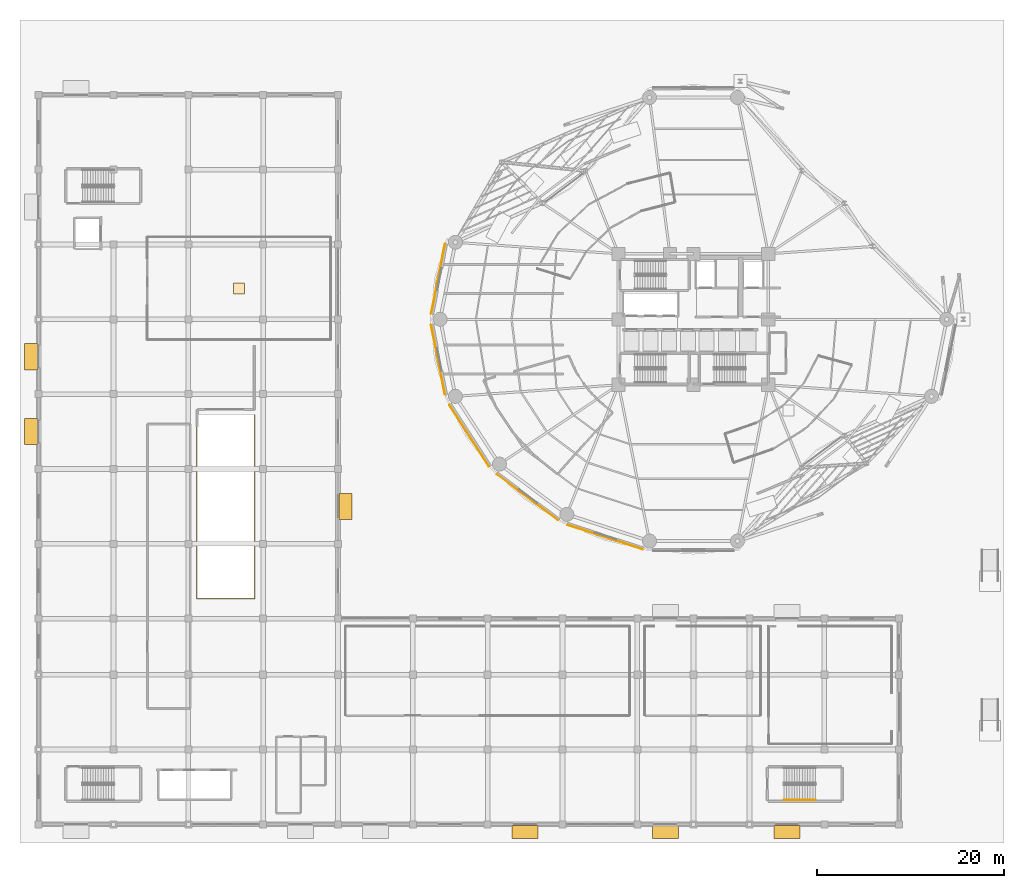
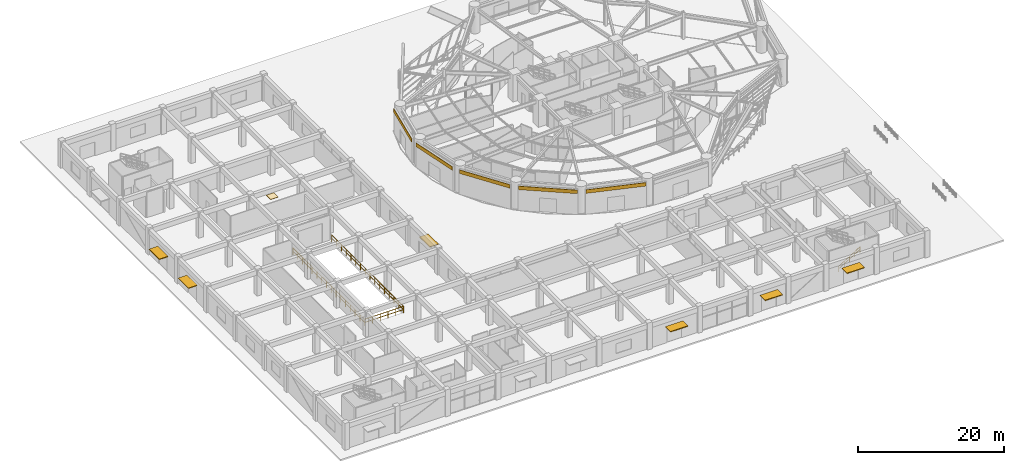
# One storey, part 34 of 40: 6 coverings, 6 shading devices, 2 railings.
"""IFC4 building model written with IfcOpenShell, lengths in metres."""

from ifc_helpers import new_model, si_unit, direction, frame, origin, origin_2d, place, context, subcontext, project, spatial, polyline, rectangle, outline, extrude, source, transform, mapped, material, layer, layer_set, type_object, element, save


model = new_model("IFC4")

# Units and contexts
model_context = context("Model", 3, precision=1e-05, world=origin(), true_north=direction((0.0, 1.0)))
body_context = subcontext(model_context, "Body", "Model", "MODEL_VIEW")
ifc_project = project(units=[si_unit("LENGTHUNIT", "METRE"), si_unit("AREAUNIT", "SQUARE_METRE"), si_unit("VOLUMEUNIT", "CUBIC_METRE"), si_unit("PLANEANGLEUNIT", "RADIAN"), si_unit("MASSUNIT", "GRAM", prefix="KILO")], contexts=[model_context])

# Site, building, storey
site_placement = place(None, origin())
site = spatial("IfcSite", under=ifc_project, at=site_placement, CompositionType="ELEMENT")
building_placement = place(site_placement, origin())
building = spatial("IfcBuilding", under=site, at=building_placement, Name="Kelanora Arch Commons", CompositionType="ELEMENT")
storey_placement = place(building_placement, origin())
storey = spatial("IfcBuildingStorey", under=building, at=storey_placement, Name="L00", CompositionType="ELEMENT", Elevation=0.0)

# Railings
ifc_material_1 = material(Name="Laminated glass and stainless steel balustrade", Category="steel")
railing_type_1 = type_object("IfcRailingType", Name="RAIL-BAL-112", PredefinedType="BALUSTRADE", material=ifc_material_1)
railing_1_placement = place(storey_placement, frame((20.919921875, 47.800048828125, 0.0)))
element("IfcRailing", 1, at=railing_1_placement, inside=storey, type_object=railing_type_1, Name="Market Hall L00 Vehicle Ramp Void Guard", PredefinedType="BALUSTRADE", context=body_context, shape_type="SweptSolid", body=[
    extrude(outline(polyline([(0.02392578125, 0.0), (0.011962890625, 0.020751953125), (-0.011962890625, 0.020751953125), (-0.02392578125, 0.0), (-0.011962890625, -0.020751953125), (0.011962890625, -0.020751953125), (0.02392578125, 0.0)])), frame((0.0, 0.0, 1.09619140625), z_axis=(0.0, -1.0, 0.0), x_axis=(1.0, 0.0, 0.0)), (0.0, 0.0, 1.0), 19.679931640625),
    extrude(outline(polyline([(0.02392578125, 0.0), (0.011962890625, 0.020751953125), (-0.011962890625, 0.020751953125), (-0.02392578125, 0.0), (-0.011962890625, -0.020751953125), (0.011962890625, -0.020751953125), (0.02392578125, 0.0)])), frame((0.0, 0.0, 0.56005859375), z_axis=(0.0, -1.0, 0.0), x_axis=(1.0, 0.0, 0.0)), (0.0, 0.0, 1.0), 19.679931640625),
    extrude(outline(polyline([(0.02392578125, 0.0), (0.011962890625, 0.020751953125), (-0.011962890625, 0.020751953125), (-0.02392578125, 0.0), (-0.011962890625, -0.020751953125), (0.011962890625, -0.020751953125), (0.02392578125, 0.0)])), frame((0.0, -19.679931640625, 1.09619140625), z_axis=(1.0, 0.0, 0.0), x_axis=(0.0, 1.0, 0.0)), (0.0, 0.0, 1.0), 6.16015625),
    extrude(outline(polyline([(0.02392578125, 0.0), (0.011962890625, 0.020751953125), (-0.011962890625, 0.020751953125), (-0.02392578125, 0.0), (-0.011962890625, -0.020751953125), (0.011962890625, -0.020751953125), (0.02392578125, 0.0)])), frame((0.0, -19.679931640625, 0.56005859375), z_axis=(1.0, 0.0, 0.0), x_axis=(0.0, 1.0, 0.0)), (0.0, 0.0, 1.0), 6.16015625),
    extrude(outline(polyline([(0.02392578125, 0.0), (0.011962890625, 0.020751953125), (-0.011962890625, 0.020751953125), (-0.02392578125, 0.0), (-0.011962890625, -0.020751953125), (0.011962890625, -0.020751953125), (0.02392578125, 0.0)])), frame((6.16015625, -19.679931640625, 1.09619140625), z_axis=(0.0, 1.0, 0.0), x_axis=(-1.0, 0.0, 0.0)), (0.0, 0.0, 1.0), 19.679931640625),
    extrude(outline(polyline([(0.02392578125, 0.0), (0.011962890625, 0.020751953125), (-0.011962890625, 0.020751953125), (-0.02392578125, 0.0), (-0.011962890625, -0.020751953125), (0.011962890625, -0.020751953125), (0.02392578125, 0.0)])), frame((6.16015625, -19.679931640625, 0.56005859375), z_axis=(0.0, 1.0, 0.0), x_axis=(-1.0, 0.0, 0.0)), (0.0, 0.0, 1.0), 19.679931640625),
    extrude(outline(polyline([(0.02099609375, 0.0), (0.010498046875, 0.01806640625), (-0.010498046875, 0.01806640625), (-0.02099609375, 0.0), (-0.010498046875, -0.01806640625), (0.010498046875, -0.01806640625), (0.02099609375, 0.0)])), origin(), (0.0, 0.0, 1.0), 1.072021484375),
    extrude(outline(polyline([(0.02099609375, 0.0), (0.010498046875, 0.01806640625), (-0.010498046875, 0.01806640625), (-0.02099609375, 0.0), (-0.010498046875, -0.01806640625), (0.010498046875, -0.01806640625), (0.02099609375, 0.0)])), frame((0.0, -1.31201171875, 0.0)), (0.0, 0.0, 1.0), 1.072021484375),
    extrude(outline(polyline([(0.02099609375, 0.0), (0.010498046875, 0.01806640625), (-0.010498046875, 0.01806640625), (-0.02099609375, 0.0), (-0.010498046875, -0.01806640625), (0.010498046875, -0.01806640625), (0.02099609375, 0.0)])), frame((0.0, -2.6240234375, 0.0)), (0.0, 0.0, 1.0), 1.072021484375),
    extrude(outline(polyline([(0.02099609375, 0.0), (0.010498046875, 0.01806640625), (-0.010498046875, 0.01806640625), (-0.02099609375, 0.0), (-0.010498046875, -0.01806640625), (0.010498046875, -0.01806640625), (0.02099609375, 0.0)])), frame((0.0, -3.93603515625, 0.0)), (0.0, 0.0, 1.0), 1.072021484375),
    extrude(outline(polyline([(0.02099609375, 0.0), (0.010498046875, 0.01806640625), (-0.010498046875, 0.01806640625), (-0.02099609375, 0.0), (-0.010498046875, -0.01806640625), (0.010498046875, -0.01806640625), (0.02099609375, 0.0)])), frame((0.0, -5.248046875, 0.0)), (0.0, 0.0, 1.0), 1.072021484375),
    extrude(outline(polyline([(0.02099609375, 0.0), (0.010498046875, 0.01806640625), (-0.010498046875, 0.01806640625), (-0.02099609375, 0.0), (-0.010498046875, -0.01806640625), (0.010498046875, -0.01806640625), (0.02099609375, 0.0)])), frame((0.0, -6.56005859375, 0.0)), (0.0, 0.0, 1.0), 1.072021484375),
    extrude(outline(polyline([(0.02099609375, 0.0), (0.010498046875, 0.01806640625), (-0.010498046875, 0.01806640625), (-0.02099609375, 0.0), (-0.010498046875, -0.01806640625), (0.010498046875, -0.01806640625), (0.02099609375, 0.0)])), frame((0.0, -7.8720703125, 0.0)), (0.0, 0.0, 1.0), 1.072021484375),
    extrude(outline(polyline([(0.02099609375, 0.0), (0.010498046875, 0.01806640625), (-0.010498046875, 0.01806640625), (-0.02099609375, 0.0), (-0.010498046875, -0.01806640625), (0.010498046875, -0.01806640625), (0.02099609375, 0.0)])), frame((0.0, -9.18408203125, 0.0)), (0.0, 0.0, 1.0), 1.072021484375),
    extrude(outline(polyline([(0.02099609375, 0.0), (0.010498046875, 0.01806640625), (-0.010498046875, 0.01806640625), (-0.02099609375, 0.0), (-0.010498046875, -0.01806640625), (0.010498046875, -0.01806640625), (0.02099609375, 0.0)])), frame((0.0, -10.495849609375, 0.0)), (0.0, 0.0, 1.0), 1.072021484375),
    extrude(outline(polyline([(0.02099609375, 0.0), (0.010498046875, 0.01806640625), (-0.010498046875, 0.01806640625), (-0.02099609375, 0.0), (-0.010498046875, -0.01806640625), (0.010498046875, -0.01806640625), (0.02099609375, 0.0)])), frame((0.0, -11.807861328125, 0.0)), (0.0, 0.0, 1.0), 1.072021484375),
    extrude(outline(polyline([(0.02099609375, 0.0), (0.010498046875, 0.01806640625), (-0.010498046875, 0.01806640625), (-0.02099609375, 0.0), (-0.010498046875, -0.01806640625), (0.010498046875, -0.01806640625), (0.02099609375, 0.0)])), frame((0.0, -13.119873046875, 0.0)), (0.0, 0.0, 1.0), 1.072021484375),
    extrude(outline(polyline([(0.02099609375, 0.0), (0.010498046875, 0.01806640625), (-0.010498046875, 0.01806640625), (-0.02099609375, 0.0), (-0.010498046875, -0.01806640625), (0.010498046875, -0.01806640625), (0.02099609375, 0.0)])), frame((0.0, -14.431884765625, 0.0)), (0.0, 0.0, 1.0), 1.072021484375),
    extrude(outline(polyline([(0.02099609375, 0.0), (0.010498046875, 0.01806640625), (-0.010498046875, 0.01806640625), (-0.02099609375, 0.0), (-0.010498046875, -0.01806640625), (0.010498046875, -0.01806640625), (0.02099609375, 0.0)])), frame((0.0, -15.743896484375, 0.0)), (0.0, 0.0, 1.0), 1.072021484375),
    extrude(outline(polyline([(0.02099609375, 0.0), (0.010498046875, 0.01806640625), (-0.010498046875, 0.01806640625), (-0.02099609375, 0.0), (-0.010498046875, -0.01806640625), (0.010498046875, -0.01806640625), (0.02099609375, 0.0)])), frame((0.0, -17.055908203125, 0.0)), (0.0, 0.0, 1.0), 1.072021484375),
    extrude(outline(polyline([(0.02099609375, 0.0), (0.010498046875, 0.01806640625), (-0.010498046875, 0.01806640625), (-0.02099609375, 0.0), (-0.010498046875, -0.01806640625), (0.010498046875, -0.01806640625), (0.02099609375, 0.0)])), frame((0.0, -18.367919921875, 0.0)), (0.0, 0.0, 1.0), 1.072021484375),
    extrude(outline(polyline([(0.02099609375, 0.0), (0.010498046875, 0.01806640625), (-0.010498046875, 0.01806640625), (-0.02099609375, 0.0), (-0.010498046875, -0.01806640625), (0.010498046875, -0.01806640625), (0.02099609375, 0.0)])), frame((0.0, -19.679931640625, 0.0)), (0.0, 0.0, 1.0), 1.072021484375),
    extrude(outline(polyline([(0.02099609375, 0.0), (0.010498046875, 0.01806640625), (-0.010498046875, 0.01806640625), (-0.02099609375, 0.0), (-0.010498046875, -0.01806640625), (0.010498046875, -0.01806640625), (0.02099609375, 0.0)])), frame((1.23193359375, -19.679931640625, 0.0)), (0.0, 0.0, 1.0), 1.072021484375),
    extrude(outline(polyline([(0.02099609375, 0.0), (0.010498046875, 0.01806640625), (-0.010498046875, 0.01806640625), (-0.02099609375, 0.0), (-0.010498046875, -0.01806640625), (0.010498046875, -0.01806640625), (0.02099609375, 0.0)])), frame((2.464111328125, -19.679931640625, 0.0)), (0.0, 0.0, 1.0), 1.072021484375),
    extrude(outline(polyline([(0.02099609375, 0.0), (0.010498046875, 0.01806640625), (-0.010498046875, 0.01806640625), (-0.02099609375, 0.0), (-0.010498046875, -0.01806640625), (0.010498046875, -0.01806640625), (0.02099609375, 0.0)])), frame((3.696044921875, -19.679931640625, 0.0)), (0.0, 0.0, 1.0), 1.072021484375),
    extrude(outline(polyline([(0.02099609375, 0.0), (0.010498046875, 0.01806640625), (-0.010498046875, 0.01806640625), (-0.02099609375, 0.0), (-0.010498046875, -0.01806640625), (0.010498046875, -0.01806640625), (0.02099609375, 0.0)])), frame((4.92822265625, -19.679931640625, 0.0)), (0.0, 0.0, 1.0), 1.072021484375),
    extrude(outline(polyline([(0.02099609375, 0.0), (0.010498046875, 0.01806640625), (-0.010498046875, 0.01806640625), (-0.02099609375, 0.0), (-0.010498046875, -0.01806640625), (0.010498046875, -0.01806640625), (0.02099609375, 0.0)])), frame((6.16015625, -19.679931640625, 0.0)), (0.0, 0.0, 1.0), 1.072021484375),
    extrude(outline(polyline([(0.02099609375, 0.0), (0.010498046875, 0.01806640625), (-0.010498046875, 0.01806640625), (-0.02099609375, 0.0), (-0.010498046875, -0.01806640625), (0.010498046875, -0.01806640625), (0.02099609375, 0.0)])), frame((6.16015625, -18.367919921875, 0.0)), (0.0, 0.0, 1.0), 1.072021484375),
    extrude(outline(polyline([(0.02099609375, 0.0), (0.010498046875, 0.01806640625), (-0.010498046875, 0.01806640625), (-0.02099609375, 0.0), (-0.010498046875, -0.01806640625), (0.010498046875, -0.01806640625), (0.02099609375, 0.0)])), frame((6.16015625, -17.055908203125, 0.0)), (0.0, 0.0, 1.0), 1.072021484375),
    extrude(outline(polyline([(0.02099609375, 0.0), (0.010498046875, 0.01806640625), (-0.010498046875, 0.01806640625), (-0.02099609375, 0.0), (-0.010498046875, -0.01806640625), (0.010498046875, -0.01806640625), (0.02099609375, 0.0)])), frame((6.16015625, -15.743896484375, 0.0)), (0.0, 0.0, 1.0), 1.072021484375),
    extrude(outline(polyline([(0.02099609375, 0.0), (0.010498046875, 0.01806640625), (-0.010498046875, 0.01806640625), (-0.02099609375, 0.0), (-0.010498046875, -0.01806640625), (0.010498046875, -0.01806640625), (0.02099609375, 0.0)])), frame((6.16015625, -14.431884765625, 0.0)), (0.0, 0.0, 1.0), 1.072021484375),
    extrude(outline(polyline([(0.02099609375, 0.0), (0.010498046875, 0.01806640625), (-0.010498046875, 0.01806640625), (-0.02099609375, 0.0), (-0.010498046875, -0.01806640625), (0.010498046875, -0.01806640625), (0.02099609375, 0.0)])), frame((6.16015625, -13.119873046875, 0.0)), (0.0, 0.0, 1.0), 1.072021484375),
    extrude(outline(polyline([(0.02099609375, 0.0), (0.010498046875, 0.01806640625), (-0.010498046875, 0.01806640625), (-0.02099609375, 0.0), (-0.010498046875, -0.01806640625), (0.010498046875, -0.01806640625), (0.02099609375, 0.0)])), frame((6.16015625, -11.807861328125, 0.0)), (0.0, 0.0, 1.0), 1.072021484375),
    extrude(outline(polyline([(0.02099609375, 0.0), (0.010498046875, 0.01806640625), (-0.010498046875, 0.01806640625), (-0.02099609375, 0.0), (-0.010498046875, -0.01806640625), (0.010498046875, -0.01806640625), (0.02099609375, 0.0)])), frame((6.16015625, -10.495849609375, 0.0)), (0.0, 0.0, 1.0), 1.072021484375),
    extrude(outline(polyline([(0.02099609375, 0.0), (0.010498046875, 0.01806640625), (-0.010498046875, 0.01806640625), (-0.02099609375, 0.0), (-0.010498046875, -0.01806640625), (0.010498046875, -0.01806640625), (0.02099609375, 0.0)])), frame((6.16015625, -9.18408203125, 0.0)), (0.0, 0.0, 1.0), 1.072021484375),
    extrude(outline(polyline([(0.02099609375, 0.0), (0.010498046875, 0.01806640625), (-0.010498046875, 0.01806640625), (-0.02099609375, 0.0), (-0.010498046875, -0.01806640625), (0.010498046875, -0.01806640625), (0.02099609375, 0.0)])), frame((6.16015625, -7.8720703125, 0.0)), (0.0, 0.0, 1.0), 1.072021484375),
    extrude(outline(polyline([(0.02099609375, 0.0), (0.010498046875, 0.01806640625), (-0.010498046875, 0.01806640625), (-0.02099609375, 0.0), (-0.010498046875, -0.01806640625), (0.010498046875, -0.01806640625), (0.02099609375, 0.0)])), frame((6.16015625, -6.56005859375, 0.0)), (0.0, 0.0, 1.0), 1.072021484375),
    extrude(outline(polyline([(0.02099609375, 0.0), (0.010498046875, 0.01806640625), (-0.010498046875, 0.01806640625), (-0.02099609375, 0.0), (-0.010498046875, -0.01806640625), (0.010498046875, -0.01806640625), (0.02099609375, 0.0)])), frame((6.16015625, -5.248046875, 0.0)), (0.0, 0.0, 1.0), 1.072021484375),
    extrude(outline(polyline([(0.02099609375, 0.0), (0.010498046875, 0.01806640625), (-0.010498046875, 0.01806640625), (-0.02099609375, 0.0), (-0.010498046875, -0.01806640625), (0.010498046875, -0.01806640625), (0.02099609375, 0.0)])), frame((6.16015625, -3.93603515625, 0.0)), (0.0, 0.0, 1.0), 1.072021484375),
    extrude(outline(polyline([(0.02099609375, 0.0), (0.010498046875, 0.01806640625), (-0.010498046875, 0.01806640625), (-0.02099609375, 0.0), (-0.010498046875, -0.01806640625), (0.010498046875, -0.01806640625), (0.02099609375, 0.0)])), frame((6.16015625, -2.6240234375, 0.0)), (0.0, 0.0, 1.0), 1.072021484375),
    extrude(outline(polyline([(0.02099609375, 0.0), (0.010498046875, 0.01806640625), (-0.010498046875, 0.01806640625), (-0.02099609375, 0.0), (-0.010498046875, -0.01806640625), (0.010498046875, -0.01806640625), (0.02099609375, 0.0)])), frame((6.16015625, -1.31201171875, 0.0)), (0.0, 0.0, 1.0), 1.072021484375),
    extrude(outline(polyline([(0.02099609375, 0.0), (0.010498046875, 0.01806640625), (-0.010498046875, 0.01806640625), (-0.02099609375, 0.0), (-0.010498046875, -0.01806640625), (0.010498046875, -0.01806640625), (0.02099609375, 0.0)])), frame((6.16015625, 0.0, 0.0)), (0.0, 0.0, 1.0), 1.072021484375),
])
ifc_material_2 = material(Name="Brushed stainless steel stair handrail", Category="steel")
railing_type_2 = type_object("IfcRailingType", Name="RAIL-STAIR-HND", PredefinedType="HANDRAIL", material=ifc_material_2)
railing_2_placement = place(storey_placement, frame((83.679931640625, 6.610107421875, 0.173095703125)))
element("IfcRailing", 2, at=railing_2_placement, inside=storey, type_object=railing_type_2, Name="L00 ST-M2 stair handrail 1", PredefinedType="HANDRAIL", context=body_context, shape_type="SweptSolid", body=[
    extrude(outline(polyline([(0.02392578125, 0.0), (0.011962890625, 0.020751953125), (-0.011962890625, 0.020751953125), (-0.02392578125, 0.0), (-0.011962890625, -0.020751953125), (0.011962890625, -0.020751953125), (0.02392578125, 0.0)])), frame((0.0, 0.0, 0.8759765625), z_axis=(0.850623216509, 0.0, 0.525775754039), x_axis=(0.0, 1.0, 0.0)), (0.0, 0.0, 1.0), 3.9501953125),
    extrude(outline(polyline([(0.02392578125, 0.0), (0.011962890625, 0.020751953125), (-0.011962890625, 0.020751953125), (-0.02392578125, 0.0), (-0.011962890625, -0.020751953125), (0.011962890625, -0.020751953125), (0.02392578125, 0.0)])), frame((0.0, 0.0, 0.449951171875), z_axis=(0.850623216509, 0.0, 0.525775754039), x_axis=(0.0, 1.0, 0.0)), (0.0, 0.0, 1.0), 3.9501953125),
    extrude(outline(polyline([(0.02099609375, 0.0), (0.010498046875, 0.01806640625), (-0.010498046875, 0.01806640625), (-0.02099609375, 0.0), (-0.010498046875, -0.01806640625), (0.010498046875, -0.01806640625), (0.02099609375, 0.0)])), origin(), (0.0, 0.0, 1.0), 0.851806640625),
    extrude(outline(polyline([(0.02099609375, 0.0), (0.010498046875, 0.01806640625), (-0.010498046875, 0.01806640625), (-0.02099609375, 0.0), (-0.010498046875, -0.01806640625), (0.010498046875, -0.01806640625), (0.02099609375, 0.0)])), frame((0.840087890625, 0.0, 0.519287109375)), (0.0, 0.0, 1.0), 0.851806640625),
    extrude(outline(polyline([(0.02099609375, 0.0), (0.010498046875, 0.01806640625), (-0.010498046875, 0.01806640625), (-0.02099609375, 0.0), (-0.010498046875, -0.01806640625), (0.010498046875, -0.01806640625), (0.02099609375, 0.0)])), frame((1.68017578125, 0.0, 1.03857421875)), (0.0, 0.0, 1.0), 0.851806640625),
    extrude(outline(polyline([(0.02099609375, 0.0), (0.010498046875, 0.01806640625), (-0.010498046875, 0.01806640625), (-0.02099609375, 0.0), (-0.010498046875, -0.01806640625), (0.010498046875, -0.01806640625), (0.02099609375, 0.0)])), frame((2.52001953125, 0.0, 1.5576171875)), (0.0, 0.0, 1.0), 0.851806640625),
    extrude(outline(polyline([(0.02099609375, 0.0), (0.010498046875, 0.01806640625), (-0.010498046875, 0.01806640625), (-0.02099609375, 0.0), (-0.010498046875, -0.01806640625), (0.010498046875, -0.01806640625), (0.02099609375, 0.0)])), frame((3.360107421875, 0.0, 2.076904296875)), (0.0, 0.0, 1.0), 0.851806640625),
])

# Coverings
ifc_material_3 = material(Name="Glazed architectural terracotta spandrel cladding", Category="masonry")
ifc_layer_1 = layer(ifc_material_3, 0.06005859375)
ifc_layer_set_1 = layer_set([ifc_layer_1], Name="Glazed architectural terracotta spandrel cladding")
covering_type_1 = type_object("IfcCoveringType", Name="COV-CLAD-TC", PredefinedType="CLADDING", material=ifc_layer_set_1)
shared_shape_1 = source(origin(), body_context, "Body", "SweptSolid", [
    extrude(rectangle(XDim=7.58251953125, YDim=0.06005859375, at=origin_2d()), origin(), (0.0, 0.0, 1.0), 0.60009765625),
])
for number, where, z_axis, x_axis, name in (
    (3, (46.694580078125, 62.33251953125, 3.534912109375), (0.0, 0.0, 1.0), (-0.19374368704, -0.981052181962, 0.0), "Terracotta Spandrel Cladding L00-B08"),
    (4, (46.694580078125, 53.66748046875, 3.534912109375), (0.0, 0.0, 1.0), (0.19374368704, -0.981052181962, 0.0), "Terracotta Spandrel Cladding L00-B09"),
):
    element("IfcCovering", number, at=place(storey_placement, frame(where, z_axis=z_axis, x_axis=x_axis)), inside=storey, type_object=covering_type_1, Name=name, PredefinedType="CLADDING", context=body_context, shape_type="MappedRepresentation", body=[
        mapped(shared_shape_1, transform((0.0, 0.0, 0.0), scale=1.0)),
    ])
shared_shape_2 = source(origin(), body_context, "Body", "SweptSolid", [
    extrude(rectangle(XDim=7.817626953125, YDim=0.06005859375, at=origin_2d()), origin(), (0.0, 0.0, 1.0), 0.60009765625),
])
covering_1_placement = place(storey_placement, frame((50.023193359375, 45.54833984375, 3.534912109375), z_axis=(0.0, 0.0, 1.0), x_axis=(0.543005222291, -0.839729318629, 0.0)))
element("IfcCovering", 5, at=covering_1_placement, inside=storey, type_object=covering_type_1, Name="Terracotta Spandrel Cladding L00-B10", PredefinedType="CLADDING", context=body_context, shape_type="MappedRepresentation", body=[
    mapped(shared_shape_2, transform((0.0, 0.0, 0.0), scale=1.0)),
])
shared_shape_3 = source(origin(), body_context, "Body", "SweptSolid", [
    extrude(rectangle(XDim=8.17041015625, YDim=0.06005859375, at=origin_2d()), origin(), (0.0, 0.0, 1.0), 0.60009765625),
])
covering_2_placement = place(storey_placement, frame((56.239013671875, 38.9697265625, 3.534912109375), z_axis=(0.0, 0.0, 1.0), x_axis=(0.800309643984, -0.599586919259, 0.0)))
element("IfcCovering", 6, at=covering_2_placement, inside=storey, type_object=covering_type_1, Name="Terracotta Spandrel Cladding L00-B11", PredefinedType="CLADDING", context=body_context, shape_type="MappedRepresentation", body=[
    mapped(shared_shape_3, transform((0.0, 0.0, 0.0), scale=1.0)),
])
shared_shape_4 = source(origin(), body_context, "Body", "SweptSolid", [
    extrude(rectangle(XDim=8.4736328125, YDim=0.06005859375, at=origin_2d()), origin(), (0.0, 0.0, 1.0), 0.60009765625),
])
covering_3_placement = place(storey_placement, frame((64.56396484375, 34.7001953125, 3.534912109375), z_axis=(0.0, 0.0, 1.0), x_axis=(0.95104065311, -0.309065811975, 0.0)))
element("IfcCovering", 7, at=covering_3_placement, inside=storey, type_object=covering_type_1, Name="Terracotta Spandrel Cladding L00-B12", PredefinedType="CLADDING", context=body_context, shape_type="MappedRepresentation", body=[
    mapped(shared_shape_4, transform((0.0, 0.0, 0.0), scale=1.0)),
])

# Shading devices
ifc_material_4 = material(Name="Terracotta-bronze aluminium monsoon canopy louvre", Category="masonry")
shading_device_type = type_object("IfcShadingDeviceType", Name="SHD-SUN-MKT", PredefinedType="AWNING", material=ifc_material_4)
shared_shape_5 = source(origin(), body_context, "Body", "SweptSolid", [
    extrude(rectangle(XDim=2.800048828125, YDim=1.39990234375, at=origin_2d()), origin(), (0.0, 0.0, 1.0), 0.1201171875),
])
for number, where, z_axis, x_axis, name in (
    (8, (56.0, 3.18994140625, 2.639892578125), (0.0, 0.0, 1.0), (1.0, 0.0, 0.0), "Market Entrance Monsoon Canopy 06"),
    (9, (71.0, 3.18994140625, 2.639892578125), (0.0, 0.0, 1.0), (1.0, 0.0, 0.0), "Market Entrance Monsoon Canopy 08"),
    (10, (84.0, 3.18994140625, 2.639892578125), (0.0, 0.0, 1.0), (1.0, 0.0, 0.0), "Market Entrance Monsoon Canopy 10"),
    (11, (36.81005859375, 38.0, 2.639892578125), (0.0, 0.0, 1.0), (0.0, 1.0, 0.0), "Market Entrance Monsoon Canopy 24"),
    (12, (3.18994140625, 54.0, 2.639892578125), (0.0, 0.0, 1.0), (0.0, -1.0, 0.0), "Market Entrance Monsoon Canopy 37"),
    (13, (3.18994140625, 46.0, 2.639892578125), (0.0, 0.0, 1.0), (0.0, -1.0, 0.0), "Market Entrance Monsoon Canopy 38"),
):
    element("IfcShadingDevice", number, at=place(storey_placement, frame(where, z_axis=z_axis, x_axis=x_axis)), inside=storey, type_object=shading_device_type, Name=name, PredefinedType="AWNING", context=body_context, shape_type="MappedRepresentation", body=[
        mapped(shared_shape_5, transform((0.0, 0.0, 0.0), scale=1.0)),
    ])

# Covering
ifc_material_5 = material(Name="Polished local granite terrazzo flooring", Category="masonry")
ifc_layer_2 = layer(ifc_material_5, 0.030029296875)
ifc_layer_set_2 = layer_set([ifc_layer_2], Name="Polished local granite terrazzo flooring")
covering_type_2 = type_object("IfcCoveringType", Name="COV-FLR-TER", PredefinedType="FLOORING", material=ifc_layer_set_2)
shared_shape_6 = source(origin(), body_context, "Body", "SweptSolid", [
    extrude(rectangle(XDim=1.199951171875, YDim=1.199951171875, at=origin_2d()), origin(), (0.0, 0.0, 1.0), 0.030029296875),
])
covering_4_placement = place(storey_placement, frame((25.409912109375, 61.300048828125, 0.0), z_axis=(0.0, 0.0, 1.0), x_axis=(1.0, 0.0, 0.0)))
element("IfcCovering", 14, at=covering_4_placement, inside=storey, type_object=covering_type_2, Name="Street Hawker and Tea Arcade Terrazzo Finish", PredefinedType="FLOORING", context=body_context, shape_type="MappedRepresentation", body=[
    mapped(shared_shape_6, transform((0.0, 0.0, 0.0), scale=1.0)),
])

save(model, "model.ifc")
